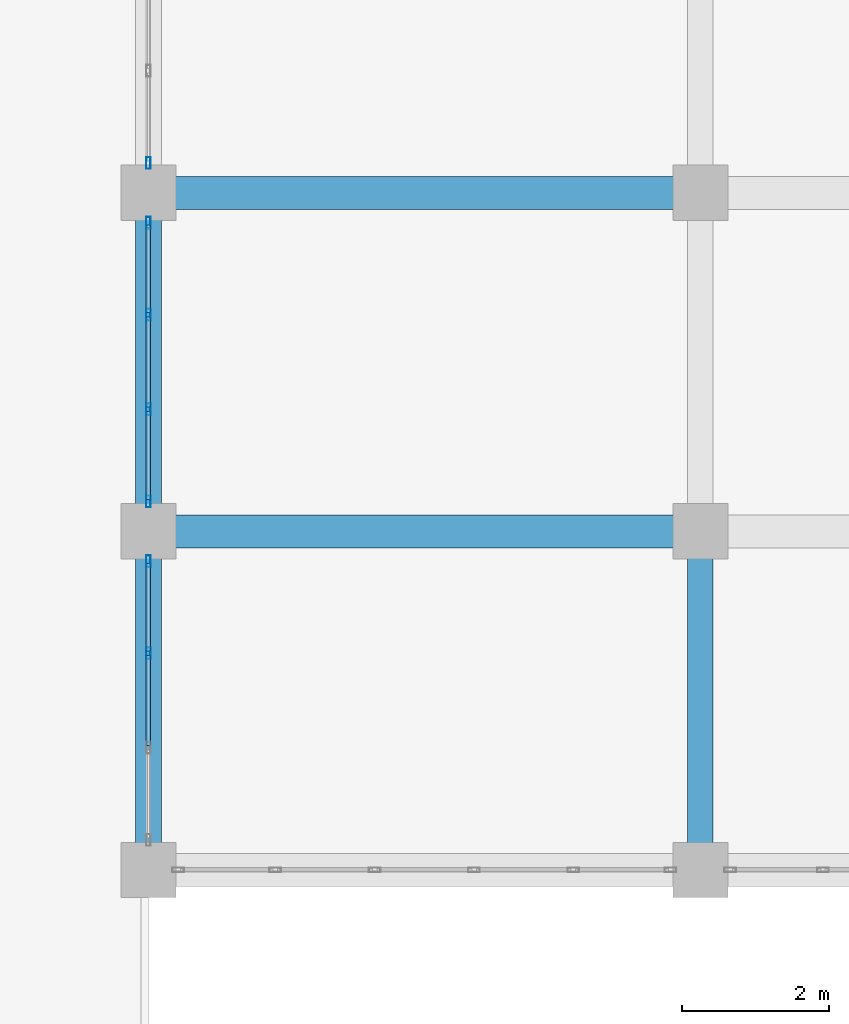
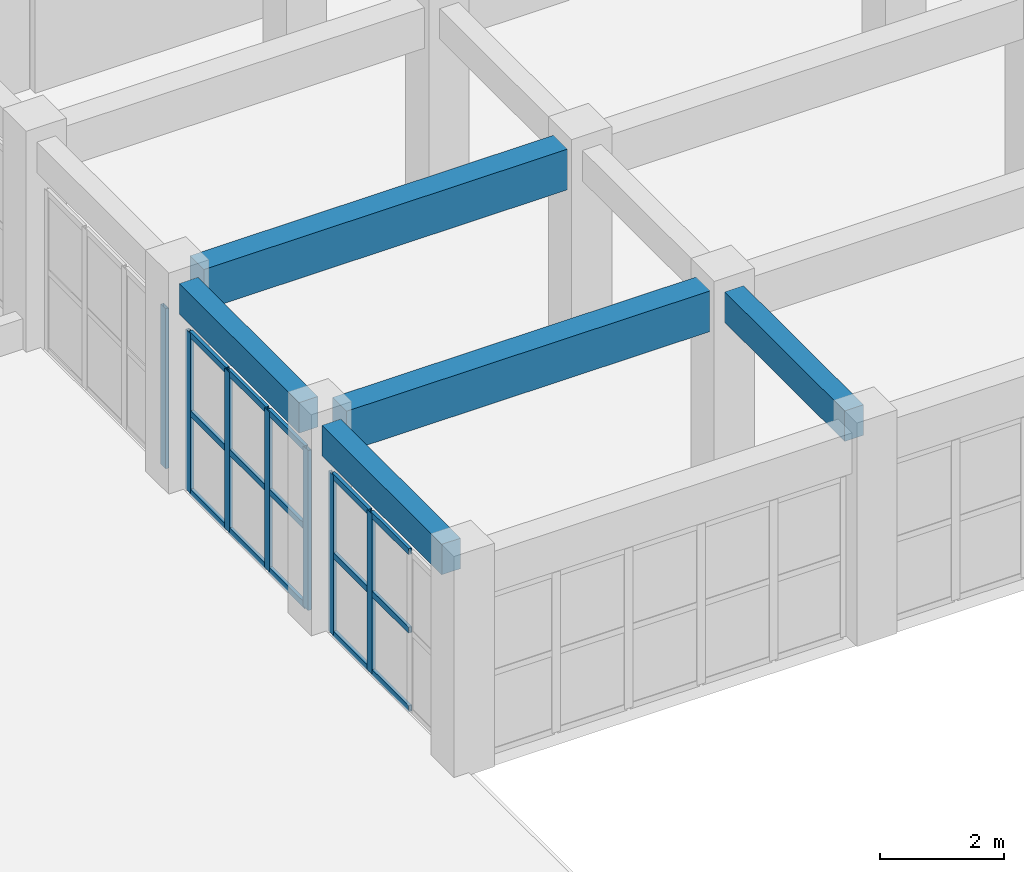
# One storey, part 12 of 90: 22 members, 5 beams, 3 elements without a shape of their own.
"""IFC4 building model written with IfcOpenShell, lengths in metres."""

from ifc_helpers import new_model, si_unit, direction, frame, origin, origin_2d, place, context, subcontext, project, spatial, rectangle, hollow_rectangle, extrude, material, layer, layer_set, material_profile, profile_set, type_object, element, aggregate, save


model = new_model("IFC4")

# Units and contexts
model_context = context("Model", 3, precision=1e-05, world=origin(), true_north=direction((0.0, 1.0)))
body_context = subcontext(model_context, "Body", "Model", "MODEL_VIEW")
ifc_project = project(units=[si_unit("LENGTHUNIT", "METRE"), si_unit("AREAUNIT", "SQUARE_METRE"), si_unit("VOLUMEUNIT", "CUBIC_METRE"), si_unit("PLANEANGLEUNIT", "RADIAN"), si_unit("MASSUNIT", "GRAM", prefix="KILO")], contexts=[model_context])

# Site, building, storey
site_placement = place(None, origin())
site = spatial("IfcSite", under=ifc_project, at=site_placement, CompositionType="ELEMENT")
building_placement = place(site_placement, origin())
building = spatial("IfcBuilding", under=site, at=building_placement, Name="Muzn Square Opera House", CompositionType="ELEMENT")
storey_placement = place(building_placement, frame((0.0, 0.0, 9.800048828125)))
storey = spatial("IfcBuildingStorey", under=building, at=storey_placement, Name="L02", CompositionType="ELEMENT", Elevation=9.800048828125)

# Curtain wall, members
ifc_material_1 = material(Name="Low-E laminated acoustic double glazing", Category="glass")
ifc_layer = layer(ifc_material_1, 0.159912109375, Name="Low-E laminated acoustic double glazing", Category="glass")
ifc_layer_set = layer_set([ifc_layer], Name="Low-E laminated acoustic double glazing")
curtain_wall_type = type_object("IfcCurtainWallType", Name="Glazed Curtain Wall WestCourt 3850x3150", PredefinedType="USERDEFINED", material=ifc_layer_set)
curtain_wall_1_placement = place(storey_placement, origin())
curtain_wall_1 = element("IfcCurtainWall", 1, at=curtain_wall_1_placement, inside=storey, type_object=curtain_wall_type, Name="Glazed Curtain Wall CW-L02-148", ObjectType="GLAZED CURTAIN WALL", PredefinedType="USERDEFINED")
ifc_material_2 = material(Name="Anodised bronze aluminium 6063-T6", Category="metal")
ifc_material_profile_1 = material_profile(ifc_material_2, hollow_rectangle(XDim=0.06005859375, YDim=0.159912109375, WallThickness=0.00390625, at=origin_2d()), Name="ALU 160x60x4", Category="metal")
ifc_profile_set_1 = profile_set([ifc_material_profile_1], Name="Anodised bronze aluminium 6063-T6")
member_type_1 = type_object("IfcMemberType", Name="Curtain Wall Mullion 160x60", PredefinedType="MULLION", material=ifc_profile_set_1)
member_1_placement = place(storey_placement, frame((19.0, 57.1416015625, 0.0), z_axis=(0.0, 0.0, 1.0), x_axis=(-1.0, 0.0, 0.0)))
member_1 = element("IfcMember", 2, at=member_1_placement, type_object=member_type_1, Name="CW-WCT-38x31 mullion 3", PredefinedType="MULLION", context=body_context, shape_type="SweptSolid", body=[
    extrude(hollow_rectangle(XDim=0.06005859375, YDim=0.159912109375, WallThickness=0.00390625, at=origin_2d()), origin(), (0.0, 0.0, 1.0), 3.14990234375),
])
member_2_placement = place(storey_placement, frame((19.0, 58.39501953125, 0.0), z_axis=(0.0, 0.0, 1.0), x_axis=(-1.0, 0.0, 0.0)))
member_2 = element("IfcMember", 3, at=member_2_placement, type_object=member_type_1, Name="CW-WCT-38x31 mullion 4", PredefinedType="MULLION", context=body_context, shape_type="SweptSolid", body=[
    extrude(hollow_rectangle(XDim=0.06005859375, YDim=0.159912109375, WallThickness=0.00390625, at=origin_2d()), origin(), (0.0, 0.0, 1.0), 3.14990234375),
])

curtain_wall_2_placement = place(storey_placement, origin())
curtain_wall_2 = element("IfcCurtainWall", 4, at=curtain_wall_2_placement, inside=storey, type_object=curtain_wall_type, Name="Glazed Curtain Wall CW-L02-149", ObjectType="GLAZED CURTAIN WALL", PredefinedType="USERDEFINED")
member_3_placement = place(storey_placement, frame((19.0, 59.205078125, 0.0), z_axis=(0.0, 0.0, 1.0), x_axis=(-1.0, 0.0, 0.0)))
member_3 = element("IfcMember", 5, at=member_3_placement, type_object=member_type_1, Name="CW-WCT-38x31 mullion 1", PredefinedType="MULLION", context=body_context, shape_type="SweptSolid", body=[
    extrude(hollow_rectangle(XDim=0.06005859375, YDim=0.159912109375, WallThickness=0.00390625, at=origin_2d()), origin(), (0.0, 0.0, 1.0), 3.14990234375),
])
member_4_placement = place(storey_placement, frame((19.0, 60.458251953125, 0.0), z_axis=(0.0, 0.0, 1.0), x_axis=(-1.0, 0.0, 0.0)))
member_4 = element("IfcMember", 6, at=member_4_placement, type_object=member_type_1, Name="CW-WCT-38x31 mullion 2", PredefinedType="MULLION", context=body_context, shape_type="SweptSolid", body=[
    extrude(hollow_rectangle(XDim=0.06005859375, YDim=0.159912109375, WallThickness=0.00390625, at=origin_2d()), origin(), (0.0, 0.0, 1.0), 3.14990234375),
])
member_5_placement = place(storey_placement, frame((19.0, 61.74169921875, 0.0), z_axis=(0.0, 0.0, 1.0), x_axis=(-1.0, 0.0, 0.0)))
member_5 = element("IfcMember", 7, at=member_5_placement, type_object=member_type_1, Name="CW-WCT-38x31 mullion 3", PredefinedType="MULLION", context=body_context, shape_type="SweptSolid", body=[
    extrude(hollow_rectangle(XDim=0.06005859375, YDim=0.159912109375, WallThickness=0.00390625, at=origin_2d()), origin(), (0.0, 0.0, 1.0), 3.14990234375),
])
member_6_placement = place(storey_placement, frame((19.0, 62.9951171875, 0.0), z_axis=(0.0, 0.0, 1.0), x_axis=(-1.0, 0.0, 0.0)))
member_6 = element("IfcMember", 8, at=member_6_placement, type_object=member_type_1, Name="CW-WCT-38x31 mullion 4", PredefinedType="MULLION", context=body_context, shape_type="SweptSolid", body=[
    extrude(hollow_rectangle(XDim=0.06005859375, YDim=0.159912109375, WallThickness=0.00390625, at=origin_2d()), origin(), (0.0, 0.0, 1.0), 3.14990234375),
])

# Curtain wall, member
curtain_wall_3_placement = place(storey_placement, origin())
curtain_wall_3 = element("IfcCurtainWall", 9, at=curtain_wall_3_placement, inside=storey, type_object=curtain_wall_type, Name="Glazed Curtain Wall CW-L02-150", ObjectType="GLAZED CURTAIN WALL", PredefinedType="USERDEFINED")
member_7_placement = place(storey_placement, frame((19.0, 63.804931640625, 0.0), z_axis=(0.0, 0.0, 1.0), x_axis=(-1.0, 0.0, 0.0)))
member_7 = element("IfcMember", 10, at=member_7_placement, type_object=member_type_1, Name="CW-WCT-38x31 mullion 1", PredefinedType="MULLION", context=body_context, shape_type="SweptSolid", body=[
    extrude(hollow_rectangle(XDim=0.06005859375, YDim=0.159912109375, WallThickness=0.00390625, at=origin_2d()), origin(), (0.0, 0.0, 1.0), 3.14990234375),
])
aggregate(curtain_wall_3, [member_7])

# Member
ifc_material_profile_2 = material_profile(ifc_material_2, hollow_rectangle(XDim=0.06005859375, YDim=0.1201171875, WallThickness=0.00390625, at=origin_2d()), Name="ALU 120x60x4", Category="metal")
ifc_profile_set_2 = profile_set([ifc_material_profile_2], Name="Anodised bronze aluminium 6063-T6")
member_type_2 = type_object("IfcMemberType", Name="Curtain Wall Transom 120x60", PredefinedType="USERDEFINED", material=ifc_profile_set_2)
member_8_placement = place(storey_placement, frame((19.0, 55.888427734375, 0.030029296875), z_axis=(0.0, 1.0, 0.0), x_axis=(-1.0, 0.0, 0.0)))
member_8 = element("IfcMember", 11, at=member_8_placement, type_object=member_type_2, Name="CW-WCT-38x31 transom 2.1", ObjectType="TRANSOM", PredefinedType="USERDEFINED", context=body_context, shape_type="SweptSolid", body=[
    extrude(hollow_rectangle(XDim=0.06005859375, YDim=0.1201171875, WallThickness=0.00390625, at=origin_2d()), origin(), (0.0, 0.0, 1.0), 1.22314453125),
])

member_9_placement = place(storey_placement, frame((19.0, 55.888427734375, 1.574951171875), z_axis=(0.0, 1.0, 0.0), x_axis=(-1.0, 0.0, 0.0)))
member_9 = element("IfcMember", 12, at=member_9_placement, type_object=member_type_2, Name="CW-WCT-38x31 transom 2.2", ObjectType="TRANSOM", PredefinedType="USERDEFINED", context=body_context, shape_type="SweptSolid", body=[
    extrude(hollow_rectangle(XDim=0.06005859375, YDim=0.1201171875, WallThickness=0.00390625, at=origin_2d()), origin(), (0.0, 0.0, 1.0), 1.22314453125),
])

member_10_placement = place(storey_placement, frame((19.0, 55.888427734375, 3.119873046875), z_axis=(0.0, 1.0, 0.0), x_axis=(-1.0, 0.0, 0.0)))
member_10 = element("IfcMember", 13, at=member_10_placement, type_object=member_type_2, Name="CW-WCT-38x31 transom 2.3", ObjectType="TRANSOM", PredefinedType="USERDEFINED", context=body_context, shape_type="SweptSolid", body=[
    extrude(hollow_rectangle(XDim=0.06005859375, YDim=0.1201171875, WallThickness=0.00390625, at=origin_2d()), origin(), (0.0, 0.0, 1.0), 1.22314453125),
])

member_11_placement = place(storey_placement, frame((19.0, 57.171630859375, 0.030029296875), z_axis=(0.0, 1.0, 0.0), x_axis=(-1.0, 0.0, 0.0)))
member_11 = element("IfcMember", 14, at=member_11_placement, type_object=member_type_2, Name="CW-WCT-38x31 transom 3.1", ObjectType="TRANSOM", PredefinedType="USERDEFINED", context=body_context, shape_type="SweptSolid", body=[
    extrude(hollow_rectangle(XDim=0.06005859375, YDim=0.1201171875, WallThickness=0.00390625, at=origin_2d()), origin(), (0.0, 0.0, 1.0), 1.193359375),
])

member_12_placement = place(storey_placement, frame((19.0, 57.171630859375, 1.574951171875), z_axis=(0.0, 1.0, 0.0), x_axis=(-1.0, 0.0, 0.0)))
member_12 = element("IfcMember", 15, at=member_12_placement, type_object=member_type_2, Name="CW-WCT-38x31 transom 3.2", ObjectType="TRANSOM", PredefinedType="USERDEFINED", context=body_context, shape_type="SweptSolid", body=[
    extrude(hollow_rectangle(XDim=0.06005859375, YDim=0.1201171875, WallThickness=0.00390625, at=origin_2d()), origin(), (0.0, 0.0, 1.0), 1.193359375),
])

member_13_placement = place(storey_placement, frame((19.0, 57.171630859375, 3.119873046875), z_axis=(0.0, 1.0, 0.0), x_axis=(-1.0, 0.0, 0.0)))
member_13 = element("IfcMember", 16, at=member_13_placement, type_object=member_type_2, Name="CW-WCT-38x31 transom 3.3", ObjectType="TRANSOM", PredefinedType="USERDEFINED", context=body_context, shape_type="SweptSolid", body=[
    extrude(hollow_rectangle(XDim=0.06005859375, YDim=0.1201171875, WallThickness=0.00390625, at=origin_2d()), origin(), (0.0, 0.0, 1.0), 1.193359375),
])

aggregate(curtain_wall_1, [member_1, member_2, member_8, member_9, member_10, member_11, member_12, member_13])

member_14_placement = place(storey_placement, frame((19.0, 59.235107421875, 0.030029296875), z_axis=(0.0, 1.0, 0.0), x_axis=(-1.0, 0.0, 0.0)))
member_14 = element("IfcMember", 17, at=member_14_placement, type_object=member_type_2, Name="CW-WCT-38x31 transom 1.1", ObjectType="TRANSOM", PredefinedType="USERDEFINED", context=body_context, shape_type="SweptSolid", body=[
    extrude(hollow_rectangle(XDim=0.06005859375, YDim=0.1201171875, WallThickness=0.00390625, at=origin_2d()), origin(), (0.0, 0.0, 1.0), 1.193115234375),
])

member_15_placement = place(storey_placement, frame((19.0, 59.235107421875, 1.574951171875), z_axis=(0.0, 1.0, 0.0), x_axis=(-1.0, 0.0, 0.0)))
member_15 = element("IfcMember", 18, at=member_15_placement, type_object=member_type_2, Name="CW-WCT-38x31 transom 1.2", ObjectType="TRANSOM", PredefinedType="USERDEFINED", context=body_context, shape_type="SweptSolid", body=[
    extrude(hollow_rectangle(XDim=0.06005859375, YDim=0.1201171875, WallThickness=0.00390625, at=origin_2d()), origin(), (0.0, 0.0, 1.0), 1.193115234375),
])

member_16_placement = place(storey_placement, frame((19.0, 59.235107421875, 3.119873046875), z_axis=(0.0, 1.0, 0.0), x_axis=(-1.0, 0.0, 0.0)))
member_16 = element("IfcMember", 19, at=member_16_placement, type_object=member_type_2, Name="CW-WCT-38x31 transom 1.3", ObjectType="TRANSOM", PredefinedType="USERDEFINED", context=body_context, shape_type="SweptSolid", body=[
    extrude(hollow_rectangle(XDim=0.06005859375, YDim=0.1201171875, WallThickness=0.00390625, at=origin_2d()), origin(), (0.0, 0.0, 1.0), 1.193115234375),
])

member_17_placement = place(storey_placement, frame((19.0, 60.48828125, 0.030029296875), z_axis=(0.0, 1.0, 0.0), x_axis=(-1.0, 0.0, 0.0)))
member_17 = element("IfcMember", 20, at=member_17_placement, type_object=member_type_2, Name="CW-WCT-38x31 transom 2.1", ObjectType="TRANSOM", PredefinedType="USERDEFINED", context=body_context, shape_type="SweptSolid", body=[
    extrude(hollow_rectangle(XDim=0.06005859375, YDim=0.1201171875, WallThickness=0.00390625, at=origin_2d()), origin(), (0.0, 0.0, 1.0), 1.223388671875),
])

member_18_placement = place(storey_placement, frame((19.0, 60.48828125, 1.574951171875), z_axis=(0.0, 1.0, 0.0), x_axis=(-1.0, 0.0, 0.0)))
member_18 = element("IfcMember", 21, at=member_18_placement, type_object=member_type_2, Name="CW-WCT-38x31 transom 2.2", ObjectType="TRANSOM", PredefinedType="USERDEFINED", context=body_context, shape_type="SweptSolid", body=[
    extrude(hollow_rectangle(XDim=0.06005859375, YDim=0.1201171875, WallThickness=0.00390625, at=origin_2d()), origin(), (0.0, 0.0, 1.0), 1.223388671875),
])

member_19_placement = place(storey_placement, frame((19.0, 60.48828125, 3.119873046875), z_axis=(0.0, 1.0, 0.0), x_axis=(-1.0, 0.0, 0.0)))
member_19 = element("IfcMember", 22, at=member_19_placement, type_object=member_type_2, Name="CW-WCT-38x31 transom 2.3", ObjectType="TRANSOM", PredefinedType="USERDEFINED", context=body_context, shape_type="SweptSolid", body=[
    extrude(hollow_rectangle(XDim=0.06005859375, YDim=0.1201171875, WallThickness=0.00390625, at=origin_2d()), origin(), (0.0, 0.0, 1.0), 1.223388671875),
])

member_20_placement = place(storey_placement, frame((19.0, 61.771728515625, 0.030029296875), z_axis=(0.0, 1.0, 0.0), x_axis=(-1.0, 0.0, 0.0)))
member_20 = element("IfcMember", 23, at=member_20_placement, type_object=member_type_2, Name="CW-WCT-38x31 transom 3.1", ObjectType="TRANSOM", PredefinedType="USERDEFINED", context=body_context, shape_type="SweptSolid", body=[
    extrude(hollow_rectangle(XDim=0.06005859375, YDim=0.1201171875, WallThickness=0.00390625, at=origin_2d()), origin(), (0.0, 0.0, 1.0), 1.193359375),
])

member_21_placement = place(storey_placement, frame((19.0, 61.771728515625, 1.574951171875), z_axis=(0.0, 1.0, 0.0), x_axis=(-1.0, 0.0, 0.0)))
member_21 = element("IfcMember", 24, at=member_21_placement, type_object=member_type_2, Name="CW-WCT-38x31 transom 3.2", ObjectType="TRANSOM", PredefinedType="USERDEFINED", context=body_context, shape_type="SweptSolid", body=[
    extrude(hollow_rectangle(XDim=0.06005859375, YDim=0.1201171875, WallThickness=0.00390625, at=origin_2d()), origin(), (0.0, 0.0, 1.0), 1.193359375),
])

member_22_placement = place(storey_placement, frame((19.0, 61.771728515625, 3.119873046875), z_axis=(0.0, 1.0, 0.0), x_axis=(-1.0, 0.0, 0.0)))
member_22 = element("IfcMember", 25, at=member_22_placement, type_object=member_type_2, Name="CW-WCT-38x31 transom 3.3", ObjectType="TRANSOM", PredefinedType="USERDEFINED", context=body_context, shape_type="SweptSolid", body=[
    extrude(hollow_rectangle(XDim=0.06005859375, YDim=0.1201171875, WallThickness=0.00390625, at=origin_2d()), origin(), (0.0, 0.0, 1.0), 1.193359375),
])

aggregate(curtain_wall_2, [member_3, member_4, member_5, member_6, member_14, member_15, member_16, member_17, member_18, member_19, member_20, member_21, member_22])

# Beams
ifc_material_3 = material(Name="Concrete C40/50", Category="concrete")
ifc_material_profile_3 = material_profile(ifc_material_3, rectangle(XDim=0.35009765625, YDim=0.60009765625, at=origin_2d()), Name="RCB 350x600", Category="concrete")
ifc_profile_set_3 = profile_set([ifc_material_profile_3], Name="Concrete C40/50")
beam_type_1 = type_object("IfcBeamType", Name="Primary Girder 350x600", PredefinedType="BEAM", material=ifc_profile_set_3)
beam_1_placement = place(storey_placement, frame((19.0, 54.56689453125, 3.820068359375), z_axis=(0.0, 1.0, 0.0), x_axis=(-1.0, 0.0, 0.0)))
element("IfcBeam", 26, at=beam_1_placement, inside=storey, type_object=beam_type_1, Name="Primary Girder BM-L02-BM-PG600-190_546_190_584-2124", PredefinedType="BEAM", context=body_context, shape_type="SweptSolid", body=[
    extrude(rectangle(XDim=0.35009765625, YDim=0.60009765625, at=origin_2d()), origin(), (0.0, 0.0, 1.0), 3.8662109375),
])
beam_2_placement = place(storey_placement, frame((19.0, 59.1669921875, 3.820068359375), z_axis=(0.0, 1.0, 0.0), x_axis=(-1.0, 0.0, 0.0)))
element("IfcBeam", 27, at=beam_2_placement, inside=storey, type_object=beam_type_1, Name="Primary Girder BM-L02-BM-PG600-190_592_190_630-2125", PredefinedType="BEAM", context=body_context, shape_type="SweptSolid", body=[
    extrude(rectangle(XDim=0.35009765625, YDim=0.60009765625, at=origin_2d()), origin(), (0.0, 0.0, 1.0), 3.865966796875),
])
beam_3_placement = place(storey_placement, frame((26.5, 54.56689453125, 3.820068359375), z_axis=(0.0, 1.0, 0.0), x_axis=(-1.0, 0.0, 0.0)))
element("IfcBeam", 28, at=beam_3_placement, inside=storey, type_object=beam_type_1, Name="Primary Girder BM-L02-BM-PG600-265_546_265_584-2134", PredefinedType="BEAM", context=body_context, shape_type="SweptSolid", body=[
    extrude(rectangle(XDim=0.35009765625, YDim=0.60009765625, at=origin_2d()), origin(), (0.0, 0.0, 1.0), 3.8662109375),
])
ifc_material_profile_4 = material_profile(ifc_material_3, rectangle(XDim=0.449951171875, YDim=0.800048828125, at=origin_2d()), Name="RCB 450x800", Category="concrete")
ifc_profile_set_4 = profile_set([ifc_material_profile_4], Name="Concrete C40/50")
beam_type_2 = type_object("IfcBeamType", Name="Primary Girder 450x800", PredefinedType="BEAM", material=ifc_profile_set_4)
for number, where, z_axis, x_axis, name in (
    (29, (19.366943359375, 58.800048828125, 3.719970703125), (1.0, 0.0, 0.0), (0.0, 1.0, 0.0), "Primary Girder BM-L02-BM-PG800-194_588_261_588-2015"),
    (30, (19.366943359375, 63.39990234375, 3.719970703125), (1.0, 0.0, 0.0), (0.0, 1.0, 0.0), "Primary Girder BM-L02-BM-PG800-194_634_261_634-2023"),
):
    element("IfcBeam", number, at=place(storey_placement, frame(where, z_axis=z_axis, x_axis=x_axis)), inside=storey, type_object=beam_type_2, Name=name, PredefinedType="BEAM", context=body_context, shape_type="SweptSolid", body=[
        extrude(rectangle(XDim=0.449951171875, YDim=0.800048828125, at=origin_2d()), origin(), (0.0, 0.0, 1.0), 6.76611328125),
    ])

save(model, "model.ifc")
